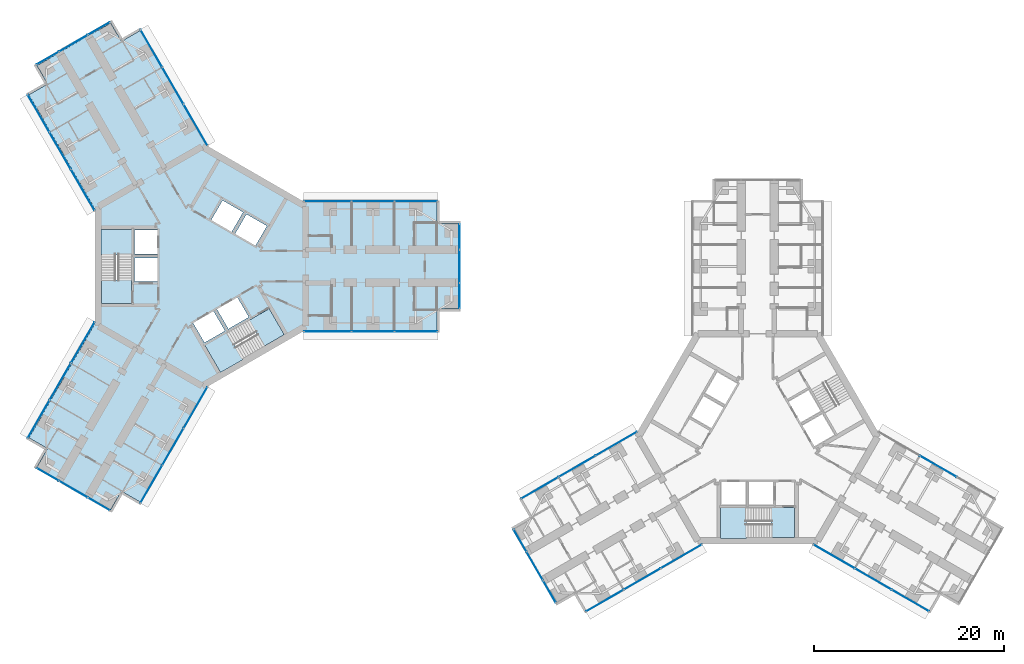
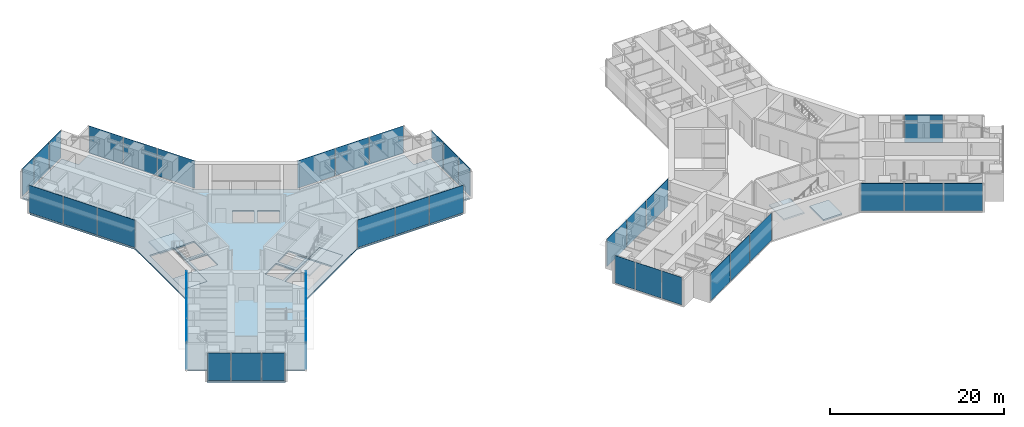
# One storey, part 14 of 25: 40 plates, 7 slabs, 17 elements without a shape of their own.
"""IFC4 building model written with IfcOpenShell, lengths in metres."""

import ifcopenshell
import ifcopenshell.guid

model = None  # the IFC model being written
_history = None  # IfcOwnerHistory: only IFC2X3 demands one
_inside = {}  # id of a spatial element -> (the spatial element, [elements in it])
_under = {}  # id of a project, library or spatial element -> (it, [spatial elements below it])
_declared = {}  # id of a project -> (the project, [libraries it declares])
_typed = {}  # id of a type object -> (the type object, [elements of that type])
_made_of = {}  # id of a material, layer set ... -> (it, [elements and type objects made of it])


def new_model(schema):
    """Start an empty IFC model of exactly this schema.

    Asked for "IFC4X3", IfcOpenShell would pick the latest addendum, in which some entities
    have other attributes; the version numbers below select the first issue.
    IFC2X3 requires an IfcOwnerHistory on every rooted entity: one is made here for all.
    """
    global model, _history
    if schema == "IFC4X3":
        model = ifcopenshell.file(schema_version=(4, 3, 0, 0))
    else:
        model = ifcopenshell.file(schema=schema)
    _inside.clear()
    _under.clear()
    _declared.clear()
    _typed.clear()
    _made_of.clear()
    _history = None
    if model.schema == "IFC2X3":
        org = make("IfcOrganization", Name="unknown")
        user = make(
            "IfcPersonAndOrganization",
            ThePerson=make("IfcPerson", FamilyName="unknown"),
            TheOrganization=org,
        )
        app = make(
            "IfcApplication",
            ApplicationDeveloper=org,
            Version="unknown",
            ApplicationFullName="unknown",
            ApplicationIdentifier="unknown",
        )
        _history = make(
            "IfcOwnerHistory",
            OwningUser=user,
            OwningApplication=app,
            ChangeAction="ADDED",
            CreationDate=0,
        )
    return model


def make(cls, **values):
    """One entity of the class cls with the attributes given. An attribute that is None is left unset."""
    return model.create_entity(
        cls, **{name: value for name, value in values.items() if value is not None}
    )


def rooted(cls, **values):
    """An entity with a GlobalId (a new one), such as an element, a storey or a relation."""
    return make(cls, GlobalId=ifcopenshell.guid.new(), OwnerHistory=_history, **values)


def si_unit(unit_type, name, prefix=None):
    """IfcSIUnit, for example si_unit("LENGTHUNIT", "METRE", prefix="MILLI")."""
    return make("IfcSIUnit", UnitType=unit_type, Prefix=prefix, Name=name)


def assignment(units):
    """IfcUnitAssignment: the units of a project."""
    return None if units is None else make("IfcUnitAssignment", Units=units)


def point(xyz):
    """IfcCartesianPoint."""
    return None if xyz is None else make("IfcCartesianPoint", Coordinates=xyz)


def direction(xyz):
    """IfcDirection."""
    return None if xyz is None else make("IfcDirection", DirectionRatios=xyz)


def frame(location, z_axis=None, x_axis=None):
    """IfcAxis2Placement3D, a coordinate frame: its origin and axes. An axis left out is left unset."""
    return make(
        "IfcAxis2Placement3D",
        Location=point(location),
        Axis=direction(z_axis),
        RefDirection=direction(x_axis),
    )


def frame_2d(location, x_axis=None):
    """IfcAxis2Placement2D, a coordinate frame in the plane: its origin and x axis."""
    return make(
        "IfcAxis2Placement2D", Location=point(location), RefDirection=direction(x_axis)
    )


def origin():
    """The frame at (0, 0, 0) with its axes left unset."""
    return frame((0.0, 0.0, 0.0))


def origin_2d():
    """The frame at (0, 0) in the plane with its x axis left unset."""
    return frame_2d((0.0, 0.0))


def place(relative_to, where):
    """IfcLocalPlacement: puts the frame where relative to a parent placement (None: the world)."""
    return make(
        "IfcLocalPlacement", PlacementRelTo=relative_to, RelativePlacement=where
    )


def context(
    kind, dimensions, precision=None, world=None, true_north=None, identifier=None
):
    """IfcGeometricRepresentationContext, for example the 3D "Model" context."""
    return make(
        "IfcGeometricRepresentationContext",
        ContextIdentifier=identifier,
        ContextType=kind,
        CoordinateSpaceDimension=dimensions,
        Precision=precision,
        WorldCoordinateSystem=world,
        TrueNorth=true_north,
    )


def subcontext(parent, identifier, kind, view, scale=None):
    """IfcGeometricRepresentationSubContext, for example "Body" below "Model"."""
    return make(
        "IfcGeometricRepresentationSubContext",
        ContextIdentifier=identifier,
        ContextType=kind,
        ParentContext=parent,
        TargetScale=scale,
        TargetView=view,
    )


def project(units=None, contexts=None):
    """IfcProject with its units and contexts."""
    return rooted(
        "IfcProject",
        Name="project",
        RepresentationContexts=contexts,
        UnitsInContext=assignment(units),
    )


def spatial(cls, under=None, at=None, **own):
    """A site, building, storey or space (cls), placed at a placement, below another one or the project."""
    s = rooted(cls, ObjectPlacement=at, **own)
    if under is not None:
        _under.setdefault(under.id(), (under, []))[1].append(s)
    return s


def polyline(points):
    """IfcPolyline through the points."""
    return make("IfcPolyline", Points=[point(p) for p in points])


def profile(cls, at=None, kind="AREA", **sizes):
    """A parametric profile (cls). Its sizes go by their IFC names, for example OverallWidth=200.0."""
    return make(cls, ProfileType=kind, Position=at, **sizes)


def rectangle(**sizes):
    """IfcRectangleProfileDef."""
    return profile("IfcRectangleProfileDef", **sizes)


def outline(outer, holes=None, kind="AREA"):
    """IfcArbitraryClosedProfileDef: a profile drawn as a closed curve; with holes, ...WithVoids."""
    if holes is None:
        return make("IfcArbitraryClosedProfileDef", ProfileType=kind, OuterCurve=outer)
    return make(
        "IfcArbitraryProfileDefWithVoids",
        ProfileType=kind,
        OuterCurve=outer,
        InnerCurves=holes,
    )


def extrude(swept, where, along, depth):
    """IfcExtrudedAreaSolid: the profile swept, set in the frame where, extruded along a direction by depth."""
    return make(
        "IfcExtrudedAreaSolid",
        SweptArea=swept,
        Position=where,
        ExtrudedDirection=direction(along),
        Depth=depth,
    )


def shape(context_of_items, identifier, shape_type, items):
    """IfcShapeRepresentation: the items that make up one representation, for example the "Body"."""
    return make(
        "IfcShapeRepresentation",
        ContextOfItems=context_of_items,
        RepresentationIdentifier=identifier,
        RepresentationType=shape_type,
        Items=items,
    )


def material(Name=None, Category=None):
    """IfcMaterial."""
    return make("IfcMaterial", Name=Name, Category=Category)


def layer(
    of_material, thickness, ventilated=None, Name=None, Category=None, Priority=None
):
    """IfcMaterialLayer: one layer of a wall or slab, of a material (None: an air gap)."""
    return make(
        "IfcMaterialLayer",
        Material=of_material,
        LayerThickness=thickness,
        IsVentilated=ventilated,
        Name=Name,
        Category=Category,
        Priority=Priority,
    )


def layer_set(layers, Name=None):
    """IfcMaterialLayerSet."""
    return make("IfcMaterialLayerSet", MaterialLayers=layers, LayerSetName=Name)


def made_of(thing, what):
    """Note that an element or type object is made of a material, layer set ...; save() writes the relation."""
    if what is not None:
        _made_of.setdefault(what.id(), (what, []))[1].append(thing)
    return thing


def type_object(cls, material=None, **own):
    """A type object (cls), such as IfcWallType, which elements share."""
    return made_of(rooted(cls, **own), material)


def element(
    cls,
    number,
    at=None,
    inside=None,
    cuts=None,
    type_object=None,
    material=None,
    context=None,
    identifier="Body",
    shape_type=None,
    held_by="IfcProductDefinitionShape",
    body=None,
    shapes=None,
    **own,
):
    """One element of the class cls, such as IfcWall. Its Tag is "e" and its number.

    at: its placement. inside: the storey or other place that contains it. cuts: it is an
    opening in that element (IfcRelVoidsElement). A single representation is given by context,
    identifier, shape_type and body (its items); several are given by shapes. held_by: the class
    of the entity that holds the representations. save() writes the other relations.
    """
    e = rooted(cls, Tag="e%d" % number, ObjectPlacement=at, **own)
    if body is not None:
        shapes = [shape(context, identifier, shape_type, body)]
    if shapes is not None:
        e.Representation = make(held_by, Representations=shapes)
    if inside is not None:
        _inside.setdefault(inside.id(), (inside, []))[1].append(e)
    if cuts is not None:
        rooted(
            "IfcRelVoidsElement", RelatingBuildingElement=cuts, RelatedOpeningElement=e
        )
    if type_object is not None:
        _typed.setdefault(type_object.id(), (type_object, []))[1].append(e)
    return made_of(e, material)


def aggregate(whole, parts):
    """IfcRelAggregates: a whole, such as a stair, and the parts it consists of."""
    return rooted("IfcRelAggregates", RelatingObject=whole, RelatedObjects=parts)


def save(model, path):
    """Write the relations noted so far, then the file.

    IfcRelAggregates (storeys below a building ...), IfcRelContainedInSpatialStructure (elements
    in a storey), IfcRelDefinesByType, IfcRelAssociatesMaterial and IfcRelDeclares: one each for
    every whole, place, type object, material and project.
    """
    for whole, parts in _under.values():
        aggregate(whole, parts)
    for where, things in _inside.values():
        rooted(
            "IfcRelContainedInSpatialStructure",
            RelatedElements=things,
            RelatingStructure=where,
        )
    for kind, things in _typed.values():
        rooted("IfcRelDefinesByType", RelatedObjects=things, RelatingType=kind)
    for what, things in _made_of.values():
        rooted("IfcRelAssociatesMaterial", RelatedObjects=things, RelatingMaterial=what)
    for by, libraries in _declared.values():
        rooted("IfcRelDeclares", RelatingContext=by, RelatedDefinitions=libraries)
    model.write(path)


model = new_model("IFC4")

# Units and contexts
model_context = context("Model", 3, precision=1e-05, world=origin(), true_north=direction((0.0, 1.0)))
body_context = subcontext(model_context, "Body", "Model", "MODEL_VIEW")
ifc_project = project(units=[si_unit("LENGTHUNIT", "METRE"), si_unit("AREAUNIT", "SQUARE_METRE"), si_unit("VOLUMEUNIT", "CUBIC_METRE"), si_unit("PLANEANGLEUNIT", "RADIAN"), si_unit("MASSUNIT", "GRAM", prefix="KILO")], contexts=[model_context])

# Site, building, storey
site_placement = place(None, origin())
site = spatial("IfcSite", under=ifc_project, at=site_placement, CompositionType="ELEMENT")
building_placement = place(site_placement, origin())
building = spatial("IfcBuilding", under=site, at=building_placement, Name="Upepo Twin Towers", CompositionType="ELEMENT")
storey_placement = place(building_placement, frame((0.0, 0.0, 80.5)))
storey = spatial("IfcBuildingStorey", under=building, at=storey_placement, Name="L19", CompositionType="ELEMENT", Elevation=80.5)

# Curtain wall, plates
ifc_material_1 = material(Name="Aluminium and fritted glass", Category="aluminium")
curtain_wall_type = type_object("IfcCurtainWallType", Name="Tower curtain wall TW1, fritted glass", PredefinedType="NOTDEFINED", material=ifc_material_1)
curtain_wall_1_placement = place(storey_placement, origin())
curtain_wall_1 = element("IfcCurtainWall", 1, at=curtain_wall_1_placement, inside=storey, type_object=curtain_wall_type, Name="T1 L19 wing A flank L curtain wall", PredefinedType="NOTDEFINED")
ifc_material_2 = material(Name="Ceramic-fritted laminated glass", Category="glass")
ifc_layer_1 = layer(ifc_material_2, 0.031982421875)
ifc_layer_set_1 = layer_set([ifc_layer_1], Name="Fritted glass panel, 30 per cent dot frit, 32 mm double glazed")
plate_type_1 = type_object("IfcPlateType", Name="Fritted glass panel, 30 per cent dot frit, 32 mm double glazed", PredefinedType="CURTAIN_PANEL", material=ifc_layer_set_1)
plate_1_placement = place(storey_placement, frame((13.23486328125, 6.85009765625, 0.14990234375), z_axis=(0.0, 0.0, 1.0), x_axis=(1.0, 0.0, 0.0)))
plate_1 = element("IfcPlate", 2, at=plate_1_placement, type_object=plate_type_1, Name="T1 L19 wing A flank L curtain wall panel 1", PredefinedType="CURTAIN_PANEL", context=body_context, shape_type="SweptSolid", body=[
    extrude(rectangle(XDim=4.96533203125, YDim=0.031982421875, at=origin_2d()), origin(), (0.0, 0.0, 1.0), 3.85009765625),
])
plate_2_placement = place(storey_placement, frame((18.0, 6.85009765625, 0.14990234375), z_axis=(0.0, 0.0, 1.0), x_axis=(1.0, 0.0, 0.0)))
plate_2 = element("IfcPlate", 3, at=plate_2_placement, type_object=plate_type_1, Name="T1 L19 wing A flank L curtain wall panel 2", PredefinedType="CURTAIN_PANEL", context=body_context, shape_type="SweptSolid", body=[
    extrude(rectangle(XDim=4.43505859375, YDim=0.031982421875, at=origin_2d()), origin(), (0.0, 0.0, 1.0), 3.85009765625),
])
plate_3_placement = place(storey_placement, frame((22.53369140625, 6.85009765625, 0.14990234375), z_axis=(0.0, 0.0, 1.0), x_axis=(1.0, 0.0, 0.0)))
plate_3 = element("IfcPlate", 4, at=plate_3_placement, type_object=plate_type_1, Name="T1 L19 wing A flank L curtain wall panel 3", PredefinedType="CURTAIN_PANEL", context=body_context, shape_type="SweptSolid", body=[
    extrude(rectangle(XDim=4.50244140625, YDim=0.031982421875, at=origin_2d()), origin(), (0.0, 0.0, 1.0), 3.85009765625),
])
aggregate(curtain_wall_1, [plate_1, plate_2, plate_3])

curtain_wall_2_placement = place(storey_placement, origin())
curtain_wall_2 = element("IfcCurtainWall", 5, at=curtain_wall_2_placement, inside=storey, type_object=curtain_wall_type, Name="T1 L19 wing A flank R curtain wall", PredefinedType="NOTDEFINED")
plate_4_placement = place(storey_placement, frame((22.53369140625, -6.85009765625, 0.14990234375), z_axis=(0.0, 0.0, 1.0), x_axis=(-1.0, 0.0, 0.0)))
plate_4 = element("IfcPlate", 6, at=plate_4_placement, type_object=plate_type_1, Name="T1 L19 wing A flank R curtain wall panel 1", PredefinedType="CURTAIN_PANEL", context=body_context, shape_type="SweptSolid", body=[
    extrude(rectangle(XDim=4.50244140625, YDim=0.031982421875, at=origin_2d()), origin(), (0.0, 0.0, 1.0), 3.85009765625),
])
plate_5_placement = place(storey_placement, frame((18.0, -6.85009765625, 0.14990234375), z_axis=(0.0, 0.0, 1.0), x_axis=(-1.0, 0.0, 0.0)))
plate_5 = element("IfcPlate", 7, at=plate_5_placement, type_object=plate_type_1, Name="T1 L19 wing A flank R curtain wall panel 2", PredefinedType="CURTAIN_PANEL", context=body_context, shape_type="SweptSolid", body=[
    extrude(rectangle(XDim=4.43505859375, YDim=0.031982421875, at=origin_2d()), origin(), (0.0, 0.0, 1.0), 3.85009765625),
])
plate_6_placement = place(storey_placement, frame((13.23486328125, -6.85009765625, 0.14990234375), z_axis=(0.0, 0.0, 1.0), x_axis=(-1.0, 0.0, 0.0)))
plate_6 = element("IfcPlate", 8, at=plate_6_placement, type_object=plate_type_1, Name="T1 L19 wing A flank R curtain wall panel 3", PredefinedType="CURTAIN_PANEL", context=body_context, shape_type="SweptSolid", body=[
    extrude(rectangle(XDim=4.96533203125, YDim=0.031982421875, at=origin_2d()), origin(), (0.0, 0.0, 1.0), 3.85009765625),
])
aggregate(curtain_wall_2, [plate_4, plate_5, plate_6])

# Curtain wall, plate
curtain_wall_3_placement = place(storey_placement, origin())
curtain_wall_3 = element("IfcCurtainWall", 9, at=curtain_wall_3_placement, inside=storey, type_object=curtain_wall_type, Name="T1 L19 wing A nose curtain wall", PredefinedType="NOTDEFINED")
plate_7_placement = place(storey_placement, frame((27.10009765625, 0.0, 0.14990234375), z_axis=(0.0, 0.0, 1.0), x_axis=(0.0, 1.0, 0.0)))
plate_7 = element("IfcPlate", 10, at=plate_7_placement, type_object=plate_type_1, Name="T1 L19 wing A nose curtain wall panel 2", PredefinedType="CURTAIN_PANEL", context=body_context, shape_type="SweptSolid", body=[
    extrude(rectangle(XDim=3.43505859375, YDim=0.031982421875, at=origin_2d()), origin(), (0.0, 0.0, 1.0), 3.85009765625),
])

# Curtain wall, plates
curtain_wall_4_placement = place(storey_placement, origin())
curtain_wall_4 = element("IfcCurtainWall", 11, at=curtain_wall_4_placement, inside=storey, type_object=curtain_wall_type, Name="T1 L19 wing B flank L curtain wall", PredefinedType="NOTDEFINED")
plate_8_placement = place(storey_placement, frame((-12.549560546875, 8.03662109375, 0.14990234375), z_axis=(0.0, 0.0, 1.0), x_axis=(-0.500000024426, 0.866025389682, 0.0)))
plate_8 = element("IfcPlate", 12, at=plate_8_placement, type_object=plate_type_1, Name="T1 L19 wing B flank L curtain wall panel 1", PredefinedType="CURTAIN_PANEL", context=body_context, shape_type="SweptSolid", body=[
    extrude(rectangle(XDim=4.96533203125, YDim=0.031982421875, at=origin_2d()), origin(), (0.0, 0.0, 1.0), 3.85009765625),
])
plate_9_placement = place(storey_placement, frame((-14.932373046875, 12.16357421875, 0.14990234375), z_axis=(0.0, 0.0, 1.0), x_axis=(-0.500000024426, 0.866025389682, 0.0)))
plate_9 = element("IfcPlate", 13, at=plate_9_placement, type_object=plate_type_1, Name="T1 L19 wing B flank L curtain wall panel 2", PredefinedType="CURTAIN_PANEL", context=body_context, shape_type="SweptSolid", body=[
    extrude(rectangle(XDim=4.43505859375, YDim=0.031982421875, at=origin_2d()), origin(), (0.0, 0.0, 1.0), 3.85009765625),
])
plate_10_placement = place(storey_placement, frame((-17.19921875, 16.08984375, 0.14990234375), z_axis=(0.0, 0.0, 1.0), x_axis=(-0.500000024426, 0.866025389682, 0.0)))
plate_10 = element("IfcPlate", 14, at=plate_10_placement, type_object=plate_type_1, Name="T1 L19 wing B flank L curtain wall panel 3", PredefinedType="CURTAIN_PANEL", context=body_context, shape_type="SweptSolid", body=[
    extrude(rectangle(XDim=4.50244140625, YDim=0.031982421875, at=origin_2d()), origin(), (0.0, 0.0, 1.0), 3.85009765625),
])
aggregate(curtain_wall_4, [plate_8, plate_9, plate_10])

curtain_wall_5_placement = place(storey_placement, origin())
curtain_wall_5 = element("IfcCurtainWall", 15, at=curtain_wall_5_placement, inside=storey, type_object=curtain_wall_type, Name="T1 L19 wing B flank R curtain wall", PredefinedType="NOTDEFINED")
plate_11_placement = place(storey_placement, frame((-5.334716796875, 22.939697265625, 0.14990234375), z_axis=(0.0, 0.0, 1.0), x_axis=(0.500000024426, -0.866025389682, 0.0)))
plate_11 = element("IfcPlate", 16, at=plate_11_placement, type_object=plate_type_1, Name="T1 L19 wing B flank R curtain wall panel 1", PredefinedType="CURTAIN_PANEL", context=body_context, shape_type="SweptSolid", body=[
    extrude(rectangle(XDim=4.50244140625, YDim=0.031982421875, at=origin_2d()), origin(), (0.0, 0.0, 1.0), 3.85009765625),
])
plate_12_placement = place(storey_placement, frame((-3.067626953125, 19.013427734375, 0.14990234375), z_axis=(0.0, 0.0, 1.0), x_axis=(0.500000024426, -0.866025389682, 0.0)))
plate_12 = element("IfcPlate", 17, at=plate_12_placement, type_object=plate_type_1, Name="T1 L19 wing B flank R curtain wall panel 2", PredefinedType="CURTAIN_PANEL", context=body_context, shape_type="SweptSolid", body=[
    extrude(rectangle(XDim=4.43505859375, YDim=0.031982421875, at=origin_2d()), origin(), (0.0, 0.0, 1.0), 3.85009765625),
])
plate_13_placement = place(storey_placement, frame((-0.68505859375, 14.88671875, 0.14990234375), z_axis=(0.0, 0.0, 1.0), x_axis=(0.500000024426, -0.866025389682, 0.0)))
plate_13 = element("IfcPlate", 18, at=plate_13_placement, type_object=plate_type_1, Name="T1 L19 wing B flank R curtain wall panel 3", PredefinedType="CURTAIN_PANEL", context=body_context, shape_type="SweptSolid", body=[
    extrude(rectangle(XDim=4.96533203125, YDim=0.031982421875, at=origin_2d()), origin(), (0.0, 0.0, 1.0), 3.85009765625),
])
aggregate(curtain_wall_5, [plate_11, plate_12, plate_13])

# Curtain wall, plate
curtain_wall_6_placement = place(storey_placement, origin())
curtain_wall_6 = element("IfcCurtainWall", 19, at=curtain_wall_6_placement, inside=storey, type_object=curtain_wall_type, Name="T1 L19 wing B nose curtain wall", PredefinedType="NOTDEFINED")
plate_14_placement = place(storey_placement, frame((-13.550048828125, 23.46923828125, 0.14990234375), z_axis=(0.0, 0.0, 1.0), x_axis=(-0.866025386174, -0.500000030502, 0.0)))
plate_14 = element("IfcPlate", 20, at=plate_14_placement, type_object=plate_type_1, Name="T1 L19 wing B nose curtain wall panel 2", PredefinedType="CURTAIN_PANEL", context=body_context, shape_type="SweptSolid", body=[
    extrude(rectangle(XDim=3.43505859375, YDim=0.031982421875, at=origin_2d()), origin(), (0.0, 0.0, 1.0), 3.85009765625),
])

# Curtain wall, plates
curtain_wall_7_placement = place(storey_placement, origin())
curtain_wall_7 = element("IfcCurtainWall", 21, at=curtain_wall_7_placement, inside=storey, type_object=curtain_wall_type, Name="T1 L19 wing C flank L curtain wall", PredefinedType="NOTDEFINED")
plate_15_placement = place(storey_placement, frame((-0.68505859375, -14.88671875, 0.14990234375), z_axis=(0.0, 0.0, 1.0), x_axis=(-0.500000024426, -0.866025389682, 0.0)))
plate_15 = element("IfcPlate", 22, at=plate_15_placement, type_object=plate_type_1, Name="T1 L19 wing C flank L curtain wall panel 1", PredefinedType="CURTAIN_PANEL", context=body_context, shape_type="SweptSolid", body=[
    extrude(rectangle(XDim=4.96533203125, YDim=0.031982421875, at=origin_2d()), origin(), (0.0, 0.0, 1.0), 3.85009765625),
])
plate_16_placement = place(storey_placement, frame((-3.067626953125, -19.013427734375, 0.14990234375), z_axis=(0.0, 0.0, 1.0), x_axis=(-0.500000024426, -0.866025389682, 0.0)))
plate_16 = element("IfcPlate", 23, at=plate_16_placement, type_object=plate_type_1, Name="T1 L19 wing C flank L curtain wall panel 2", PredefinedType="CURTAIN_PANEL", context=body_context, shape_type="SweptSolid", body=[
    extrude(rectangle(XDim=4.43505859375, YDim=0.031982421875, at=origin_2d()), origin(), (0.0, 0.0, 1.0), 3.85009765625),
])
plate_17_placement = place(storey_placement, frame((-5.334716796875, -22.939697265625, 0.14990234375), z_axis=(0.0, 0.0, 1.0), x_axis=(-0.500000024426, -0.866025389682, 0.0)))
plate_17 = element("IfcPlate", 24, at=plate_17_placement, type_object=plate_type_1, Name="T1 L19 wing C flank L curtain wall panel 3", PredefinedType="CURTAIN_PANEL", context=body_context, shape_type="SweptSolid", body=[
    extrude(rectangle(XDim=4.50244140625, YDim=0.031982421875, at=origin_2d()), origin(), (0.0, 0.0, 1.0), 3.85009765625),
])
aggregate(curtain_wall_7, [plate_15, plate_16, plate_17])

curtain_wall_8_placement = place(storey_placement, origin())
curtain_wall_8 = element("IfcCurtainWall", 25, at=curtain_wall_8_placement, inside=storey, type_object=curtain_wall_type, Name="T1 L19 wing C flank R curtain wall", PredefinedType="NOTDEFINED")
plate_18_placement = place(storey_placement, frame((-17.19921875, -16.08984375, 0.14990234375), z_axis=(0.0, 0.0, 1.0), x_axis=(0.500000024426, 0.866025389682, 0.0)))
plate_18 = element("IfcPlate", 26, at=plate_18_placement, type_object=plate_type_1, Name="T1 L19 wing C flank R curtain wall panel 1", PredefinedType="CURTAIN_PANEL", context=body_context, shape_type="SweptSolid", body=[
    extrude(rectangle(XDim=4.50244140625, YDim=0.031982421875, at=origin_2d()), origin(), (0.0, 0.0, 1.0), 3.85009765625),
])
plate_19_placement = place(storey_placement, frame((-14.932373046875, -12.16357421875, 0.14990234375), z_axis=(0.0, 0.0, 1.0), x_axis=(0.500000024426, 0.866025389682, 0.0)))
plate_19 = element("IfcPlate", 27, at=plate_19_placement, type_object=plate_type_1, Name="T1 L19 wing C flank R curtain wall panel 2", PredefinedType="CURTAIN_PANEL", context=body_context, shape_type="SweptSolid", body=[
    extrude(rectangle(XDim=4.43505859375, YDim=0.031982421875, at=origin_2d()), origin(), (0.0, 0.0, 1.0), 3.85009765625),
])
plate_20_placement = place(storey_placement, frame((-12.549560546875, -8.03662109375, 0.14990234375), z_axis=(0.0, 0.0, 1.0), x_axis=(0.500000024426, 0.866025389682, 0.0)))
plate_20 = element("IfcPlate", 28, at=plate_20_placement, type_object=plate_type_1, Name="T1 L19 wing C flank R curtain wall panel 3", PredefinedType="CURTAIN_PANEL", context=body_context, shape_type="SweptSolid", body=[
    extrude(rectangle(XDim=4.96533203125, YDim=0.031982421875, at=origin_2d()), origin(), (0.0, 0.0, 1.0), 3.85009765625),
])
aggregate(curtain_wall_8, [plate_18, plate_19, plate_20])

# Curtain wall, plate
curtain_wall_9_placement = place(storey_placement, origin())
curtain_wall_9 = element("IfcCurtainWall", 29, at=curtain_wall_9_placement, inside=storey, type_object=curtain_wall_type, Name="T1 L19 wing C nose curtain wall", PredefinedType="NOTDEFINED")
plate_21_placement = place(storey_placement, frame((-13.550048828125, -23.46923828125, 0.14990234375), z_axis=(0.0, 0.0, 1.0), x_axis=(0.866025386174, -0.500000030502, 0.0)))
plate_21 = element("IfcPlate", 30, at=plate_21_placement, type_object=plate_type_1, Name="T1 L19 wing C nose curtain wall panel 2", PredefinedType="CURTAIN_PANEL", context=body_context, shape_type="SweptSolid", body=[
    extrude(rectangle(XDim=3.43505859375, YDim=0.031982421875, at=origin_2d()), origin(), (0.0, 0.0, 1.0), 3.85009765625),
])

# Curtain wall, plates
curtain_wall_10_placement = place(storey_placement, origin())
curtain_wall_10 = element("IfcCurtainWall", 31, at=curtain_wall_10_placement, inside=storey, type_object=curtain_wall_type, Name="T2 L19 wing B flank L curtain wall", PredefinedType="NOTDEFINED")
plate_22_placement = place(storey_placement, frame((50.46337890625, -30.549560546875, 0.14990234375), z_axis=(0.0, 0.0, 1.0), x_axis=(-0.866025389682, -0.500000024426, 0.0)))
plate_22 = element("IfcPlate", 32, at=plate_22_placement, type_object=plate_type_1, Name="T2 L19 wing B flank L curtain wall panel 1", PredefinedType="CURTAIN_PANEL", context=body_context, shape_type="SweptSolid", body=[
    extrude(rectangle(XDim=4.96533203125, YDim=0.031982421875, at=origin_2d()), origin(), (0.0, 0.0, 1.0), 3.85009765625),
])
plate_23_placement = place(storey_placement, frame((46.33642578125, -32.932373046875, 0.14990234375), z_axis=(0.0, 0.0, 1.0), x_axis=(-0.866025389682, -0.500000024426, 0.0)))
plate_23 = element("IfcPlate", 33, at=plate_23_placement, type_object=plate_type_1, Name="T2 L19 wing B flank L curtain wall panel 2", PredefinedType="CURTAIN_PANEL", context=body_context, shape_type="SweptSolid", body=[
    extrude(rectangle(XDim=4.43505859375, YDim=0.031982421875, at=origin_2d()), origin(), (0.0, 0.0, 1.0), 3.85009765625),
])
plate_24_placement = place(storey_placement, frame((42.41015625, -35.19921875, 0.14990234375), z_axis=(0.0, 0.0, 1.0), x_axis=(-0.866025389682, -0.500000024426, 0.0)))
plate_24 = element("IfcPlate", 34, at=plate_24_placement, type_object=plate_type_1, Name="T2 L19 wing B flank L curtain wall panel 3", PredefinedType="CURTAIN_PANEL", context=body_context, shape_type="SweptSolid", body=[
    extrude(rectangle(XDim=4.50244140625, YDim=0.031982421875, at=origin_2d()), origin(), (0.0, 0.0, 1.0), 3.85009765625),
])
aggregate(curtain_wall_10, [plate_22, plate_23, plate_24])

curtain_wall_11_placement = place(storey_placement, origin())
curtain_wall_11 = element("IfcCurtainWall", 35, at=curtain_wall_11_placement, inside=storey, type_object=curtain_wall_type, Name="T2 L19 wing B flank R curtain wall", PredefinedType="NOTDEFINED")
plate_25_placement = place(storey_placement, frame((35.560302734375, -23.334716796875, 0.14990234375), z_axis=(0.0, 0.0, 1.0), x_axis=(0.866025389682, 0.500000024426, 0.0)))
plate_25 = element("IfcPlate", 36, at=plate_25_placement, type_object=plate_type_1, Name="T2 L19 wing B flank R curtain wall panel 1", PredefinedType="CURTAIN_PANEL", context=body_context, shape_type="SweptSolid", body=[
    extrude(rectangle(XDim=4.50244140625, YDim=0.031982421875, at=origin_2d()), origin(), (0.0, 0.0, 1.0), 3.85009765625),
])
plate_26_placement = place(storey_placement, frame((39.486572265625, -21.067626953125, 0.14990234375), z_axis=(0.0, 0.0, 1.0), x_axis=(0.866025389682, 0.500000024426, 0.0)))
plate_26 = element("IfcPlate", 37, at=plate_26_placement, type_object=plate_type_1, Name="T2 L19 wing B flank R curtain wall panel 2", PredefinedType="CURTAIN_PANEL", context=body_context, shape_type="SweptSolid", body=[
    extrude(rectangle(XDim=4.43505859375, YDim=0.031982421875, at=origin_2d()), origin(), (0.0, 0.0, 1.0), 3.85009765625),
])
plate_27_placement = place(storey_placement, frame((43.61328125, -18.68505859375, 0.14990234375), z_axis=(0.0, 0.0, 1.0), x_axis=(0.866025389682, 0.500000024426, 0.0)))
plate_27 = element("IfcPlate", 38, at=plate_27_placement, type_object=plate_type_1, Name="T2 L19 wing B flank R curtain wall panel 3", PredefinedType="CURTAIN_PANEL", context=body_context, shape_type="SweptSolid", body=[
    extrude(rectangle(XDim=4.96533203125, YDim=0.031982421875, at=origin_2d()), origin(), (0.0, 0.0, 1.0), 3.85009765625),
])
aggregate(curtain_wall_11, [plate_25, plate_26, plate_27])

# Curtain wall, plate
curtain_wall_12_placement = place(storey_placement, origin())
curtain_wall_12 = element("IfcCurtainWall", 39, at=curtain_wall_12_placement, inside=storey, type_object=curtain_wall_type, Name="T2 L19 wing B nose curtain wall", PredefinedType="NOTDEFINED")
plate_28_placement = place(storey_placement, frame((35.03076171875, -31.550048828125, 0.14990234375), z_axis=(0.0, 0.0, 1.0), x_axis=(0.500000030502, -0.866025386174, 0.0)))
plate_28 = element("IfcPlate", 40, at=plate_28_placement, type_object=plate_type_1, Name="T2 L19 wing B nose curtain wall panel 2", PredefinedType="CURTAIN_PANEL", context=body_context, shape_type="SweptSolid", body=[
    extrude(rectangle(XDim=3.43505859375, YDim=0.031982421875, at=origin_2d()), origin(), (0.0, 0.0, 1.0), 3.85009765625),
])

curtain_wall_13_placement = place(storey_placement, origin())
curtain_wall_13 = element("IfcCurtainWall", 41, at=curtain_wall_13_placement, inside=storey, type_object=curtain_wall_type, Name="T2 L19 wing C flank L curtain wall", PredefinedType="NOTDEFINED")
plate_29_placement = place(storey_placement, frame((77.513427734375, -21.067626953125, 0.14990234375), z_axis=(0.0, 0.0, 1.0), x_axis=(0.866025389682, -0.500000024426, 0.0)))
plate_29 = element("IfcPlate", 42, at=plate_29_placement, type_object=plate_type_1, Name="T2 L19 wing C flank L curtain wall panel 2", PredefinedType="CURTAIN_PANEL", context=body_context, shape_type="SweptSolid", body=[
    extrude(rectangle(XDim=4.43505859375, YDim=0.031982421875, at=origin_2d()), origin(), (0.0, 0.0, 1.0), 3.85009765625),
])
aggregate(curtain_wall_13, [plate_29])

# Curtain wall, plates
curtain_wall_14_placement = place(storey_placement, origin())
curtain_wall_14 = element("IfcCurtainWall", 43, at=curtain_wall_14_placement, inside=storey, type_object=curtain_wall_type, Name="T2 L19 wing C flank R curtain wall", PredefinedType="NOTDEFINED")
plate_30_placement = place(storey_placement, frame((74.58984375, -35.19921875, 0.14990234375), z_axis=(0.0, 0.0, 1.0), x_axis=(-0.866025389682, 0.500000024426, 0.0)))
plate_30 = element("IfcPlate", 44, at=plate_30_placement, type_object=plate_type_1, Name="T2 L19 wing C flank R curtain wall panel 1", PredefinedType="CURTAIN_PANEL", context=body_context, shape_type="SweptSolid", body=[
    extrude(rectangle(XDim=4.50244140625, YDim=0.031982421875, at=origin_2d()), origin(), (0.0, 0.0, 1.0), 3.85009765625),
])
plate_31_placement = place(storey_placement, frame((70.66357421875, -32.932373046875, 0.14990234375), z_axis=(0.0, 0.0, 1.0), x_axis=(-0.866025389682, 0.500000024426, 0.0)))
plate_31 = element("IfcPlate", 45, at=plate_31_placement, type_object=plate_type_1, Name="T2 L19 wing C flank R curtain wall panel 2", PredefinedType="CURTAIN_PANEL", context=body_context, shape_type="SweptSolid", body=[
    extrude(rectangle(XDim=4.43505859375, YDim=0.031982421875, at=origin_2d()), origin(), (0.0, 0.0, 1.0), 3.85009765625),
])
plate_32_placement = place(storey_placement, frame((66.53662109375, -30.549560546875, 0.14990234375), z_axis=(0.0, 0.0, 1.0), x_axis=(-0.866025389682, 0.500000024426, 0.0)))
plate_32 = element("IfcPlate", 46, at=plate_32_placement, type_object=plate_type_1, Name="T2 L19 wing C flank R curtain wall panel 3", PredefinedType="CURTAIN_PANEL", context=body_context, shape_type="SweptSolid", body=[
    extrude(rectangle(XDim=4.96533203125, YDim=0.031982421875, at=origin_2d()), origin(), (0.0, 0.0, 1.0), 3.85009765625),
])
aggregate(curtain_wall_14, [plate_30, plate_31, plate_32])

# Plate
ifc_material_3 = material(Name="Clear laminated glass in opening sash", Category="glass")
ifc_layer_2 = layer(ifc_material_3, 0.031982421875)
ifc_layer_set_2 = layer_set([ifc_layer_2], Name="Operable glass panel, 32 mm double glazed")
plate_type_2 = type_object("IfcPlateType", Name="Operable glass panel, 32 mm double glazed", PredefinedType="CURTAIN_PANEL", material=ifc_layer_set_2)
plate_33_placement = place(storey_placement, frame((27.10009765625, -3.108642578125, 0.14990234375), z_axis=(0.0, 0.0, 1.0), x_axis=(0.0, 1.0, 0.0)))
plate_33 = element("IfcPlate", 47, at=plate_33_placement, type_object=plate_type_2, Name="T1 L19 wing A nose curtain wall panel 1", PredefinedType="CURTAIN_PANEL", context=body_context, shape_type="SweptSolid", body=[
    extrude(rectangle(XDim=2.652587890625, YDim=0.031982421875, at=origin_2d()), origin(), (0.0, 0.0, 1.0), 3.85009765625),
])

plate_34_placement = place(storey_placement, frame((27.10009765625, 3.108642578125, 0.14990234375), z_axis=(0.0, 0.0, 1.0), x_axis=(0.0, 1.0, 0.0)))
plate_34 = element("IfcPlate", 48, at=plate_34_placement, type_object=plate_type_2, Name="T1 L19 wing A nose curtain wall panel 3", PredefinedType="CURTAIN_PANEL", context=body_context, shape_type="SweptSolid", body=[
    extrude(rectangle(XDim=2.652587890625, YDim=0.031982421875, at=origin_2d()), origin(), (0.0, 0.0, 1.0), 3.85009765625),
])

aggregate(curtain_wall_3, [plate_33, plate_7, plate_34])

plate_35_placement = place(storey_placement, frame((-10.857666015625, 25.023681640625, 0.14990234375), z_axis=(0.0, 0.0, 1.0), x_axis=(-0.866025386174, -0.500000030502, 0.0)))
plate_35 = element("IfcPlate", 49, at=plate_35_placement, type_object=plate_type_2, Name="T1 L19 wing B nose curtain wall panel 1", PredefinedType="CURTAIN_PANEL", context=body_context, shape_type="SweptSolid", body=[
    extrude(rectangle(XDim=2.652587890625, YDim=0.031982421875, at=origin_2d()), origin(), (0.0, 0.0, 1.0), 3.85009765625),
])

plate_36_placement = place(storey_placement, frame((-16.2421875, 21.914794921875, 0.14990234375), z_axis=(0.0, 0.0, 1.0), x_axis=(-0.866025386174, -0.500000030502, 0.0)))
plate_36 = element("IfcPlate", 50, at=plate_36_placement, type_object=plate_type_2, Name="T1 L19 wing B nose curtain wall panel 3", PredefinedType="CURTAIN_PANEL", context=body_context, shape_type="SweptSolid", body=[
    extrude(rectangle(XDim=2.652587890625, YDim=0.031982421875, at=origin_2d()), origin(), (0.0, 0.0, 1.0), 3.85009765625),
])

aggregate(curtain_wall_6, [plate_35, plate_14, plate_36])

plate_37_placement = place(storey_placement, frame((-16.2421875, -21.914794921875, 0.14990234375), z_axis=(0.0, 0.0, 1.0), x_axis=(0.866025386174, -0.500000030502, 0.0)))
plate_37 = element("IfcPlate", 51, at=plate_37_placement, type_object=plate_type_2, Name="T1 L19 wing C nose curtain wall panel 1", PredefinedType="CURTAIN_PANEL", context=body_context, shape_type="SweptSolid", body=[
    extrude(rectangle(XDim=2.652587890625, YDim=0.031982421875, at=origin_2d()), origin(), (0.0, 0.0, 1.0), 3.85009765625),
])

plate_38_placement = place(storey_placement, frame((-10.857666015625, -25.023681640625, 0.14990234375), z_axis=(0.0, 0.0, 1.0), x_axis=(0.866025386174, -0.500000030502, 0.0)))
plate_38 = element("IfcPlate", 52, at=plate_38_placement, type_object=plate_type_2, Name="T1 L19 wing C nose curtain wall panel 3", PredefinedType="CURTAIN_PANEL", context=body_context, shape_type="SweptSolid", body=[
    extrude(rectangle(XDim=2.652587890625, YDim=0.031982421875, at=origin_2d()), origin(), (0.0, 0.0, 1.0), 3.85009765625),
])

aggregate(curtain_wall_9, [plate_37, plate_21, plate_38])

plate_39_placement = place(storey_placement, frame((33.476318359375, -28.857666015625, 0.14990234375), z_axis=(0.0, 0.0, 1.0), x_axis=(0.500000030502, -0.866025386174, 0.0)))
plate_39 = element("IfcPlate", 53, at=plate_39_placement, type_object=plate_type_2, Name="T2 L19 wing B nose curtain wall panel 1", PredefinedType="CURTAIN_PANEL", context=body_context, shape_type="SweptSolid", body=[
    extrude(rectangle(XDim=2.652587890625, YDim=0.031982421875, at=origin_2d()), origin(), (0.0, 0.0, 1.0), 3.85009765625),
])

plate_40_placement = place(storey_placement, frame((36.585205078125, -34.2421875, 0.14990234375), z_axis=(0.0, 0.0, 1.0), x_axis=(0.500000030502, -0.866025386174, 0.0)))
plate_40 = element("IfcPlate", 54, at=plate_40_placement, type_object=plate_type_2, Name="T2 L19 wing B nose curtain wall panel 3", PredefinedType="CURTAIN_PANEL", context=body_context, shape_type="SweptSolid", body=[
    extrude(rectangle(XDim=2.652587890625, YDim=0.031982421875, at=origin_2d()), origin(), (0.0, 0.0, 1.0), 3.85009765625),
])

aggregate(curtain_wall_12, [plate_39, plate_28, plate_40])

# Stair, slabs
ifc_material_4 = material(Name="Concrete C40/50", Category="concrete")
stair_type = type_object("IfcStairType", Name="Core stair, two flights", PredefinedType="HALF_TURN_STAIR", material=ifc_material_4)
stair_1_placement = place(storey_placement, origin())
stair_1 = element("IfcStair", 55, at=stair_1_placement, inside=storey, type_object=stair_type, Name="T1 stair S1 L19", PredefinedType="HALF_TURN_STAIR")
ifc_material_5 = material(Name="Concrete C40/50", Category="concrete")
ifc_layer_3 = layer(ifc_material_5, 0.199951171875)
ifc_layer_set_3 = layer_set([ifc_layer_3], Name="Concrete C40/50")
slab_type_1 = type_object("IfcSlabType", Name="Stair landing 200 RC", PredefinedType="LANDING", material=ifc_layer_set_3)
slab_1_placement = place(storey_placement, frame((0.0, 0.0, -0.199951171875)))
slab_1 = element("IfcSlab", 56, at=slab_1_placement, type_object=slab_type_1, Name="Stair S1 landing 1", PredefinedType="LANDING", context=body_context, shape_type="SweptSolid", body=[
    extrude(outline(polyline([(-7.39990234375, -1.419921875), (-10.558349609375, -1.419921875), (-10.558349609375, -3.89990234375), (-7.39990234375, -3.89990234375), (-7.39990234375, -1.419921875)])), origin(), (0.0, 0.0, 1.0), 0.199951171875),
])
slab_2_placement = place(storey_placement, frame((0.0, 0.0, 1.800048828125)))
slab_2 = element("IfcSlab", 57, at=slab_2_placement, type_object=slab_type_1, Name="Stair S1 landing 2", PredefinedType="LANDING", context=body_context, shape_type="SweptSolid", body=[
    extrude(outline(polyline([(-7.300048828125, 3.89990234375), (-10.658447265625, 3.89990234375), (-10.658447265625, 1.179931640625), (-7.300048828125, 1.179931640625), (-7.300048828125, 3.89990234375)])), origin(), (0.0, 0.0, 1.0), 0.199951171875),
])
aggregate(stair_1, [slab_1, slab_2])

stair_2_placement = place(storey_placement, origin())
stair_2 = element("IfcStair", 58, at=stair_2_placement, inside=storey, type_object=stair_type, Name="T1 stair S2 L19", PredefinedType="HALF_TURN_STAIR")
slab_3_placement = place(storey_placement, frame((0.0, 0.0, -0.199951171875)))
slab_3 = element("IfcSlab", 59, at=slab_3_placement, type_object=slab_type_1, Name="Stair S2 landing 1", PredefinedType="LANDING", context=body_context, shape_type="SweptSolid", body=[
    extrude(outline(polyline([(4.9296875, -5.698486328125), (6.509033203125, -8.433837890625), (8.65673828125, -7.19384765625), (7.077392578125, -4.45849609375), (4.9296875, -5.698486328125)])), origin(), (0.0, 0.0, 1.0), 0.199951171875),
])
slab_4_placement = place(storey_placement, frame((0.0, 0.0, 1.800048828125)))
slab_4 = element("IfcSlab", 60, at=slab_4_placement, type_object=slab_type_1, Name="Stair S2 landing 2", PredefinedType="LANDING", context=body_context, shape_type="SweptSolid", body=[
    extrude(outline(polyline([(0.2724609375, -8.27197265625), (1.95166015625, -11.180419921875), (4.307373046875, -9.8203125), (2.628173828125, -6.911865234375), (0.2724609375, -8.27197265625)])), origin(), (0.0, 0.0, 1.0), 0.199951171875),
])
aggregate(stair_2, [slab_3, slab_4])

stair_3_placement = place(storey_placement, origin())
stair_3 = element("IfcStair", 61, at=stair_3_placement, inside=storey, type_object=stair_type, Name="T2 stair S1 L19", PredefinedType="HALF_TURN_STAIR")
slab_5_placement = place(storey_placement, frame((0.0, 0.0, -0.199951171875)))
slab_5 = element("IfcSlab", 62, at=slab_5_placement, type_object=slab_type_1, Name="Stair S1 landing 1", PredefinedType="LANDING", context=body_context, shape_type="SweptSolid", body=[
    extrude(outline(polyline([(59.919921875, -25.39990234375), (59.919921875, -28.558349609375), (62.39990234375, -28.558349609375), (62.39990234375, -25.39990234375), (59.919921875, -25.39990234375)])), origin(), (0.0, 0.0, 1.0), 0.199951171875),
])
slab_6_placement = place(storey_placement, frame((0.0, 0.0, 1.800048828125)))
slab_6 = element("IfcSlab", 63, at=slab_6_placement, type_object=slab_type_1, Name="Stair S1 landing 2", PredefinedType="LANDING", context=body_context, shape_type="SweptSolid", body=[
    extrude(outline(polyline([(54.60009765625, -25.300048828125), (54.60009765625, -28.658447265625), (57.320068359375, -28.658447265625), (57.320068359375, -25.300048828125), (54.60009765625, -25.300048828125)])), origin(), (0.0, 0.0, 1.0), 0.199951171875),
])
aggregate(stair_3, [slab_5, slab_6])

# Slab
ifc_material_6 = material(Name="Concrete C40/50", Category="concrete")
ifc_layer_4 = layer(ifc_material_6, 0.199951171875)
ifc_layer_set_4 = layer_set([ifc_layer_4], Name="Concrete C40/50")
slab_type_2 = type_object("IfcSlabType", Name="Tower floor slab 200 RC", PredefinedType="FLOOR", material=ifc_layer_set_4)
slab_7_placement = place(storey_placement, frame((0.0, 0.0, -0.199951171875)))
element("IfcSlab", 64, at=slab_7_placement, inside=storey, type_object=slab_type_2, Name="T1 L19 floor slab", PredefinedType="FLOOR", context=body_context, shape_type="SweptSolid", body=[
    extrude(outline(polyline([(-8.477783203125, -23.68408203125), (-9.602783203125, -25.632568359375), (-17.397216796875, -21.132568359375), (-16.272216796875, -19.18408203125), (-18.220703125, -18.05908203125), (-11.25830078125, -6.0), (-11.25830078125, 6.0), (-18.220703125, 18.05908203125), (-16.272216796875, 19.18408203125), (-17.397216796875, 21.132568359375), (-9.602783203125, 25.632568359375), (-8.477783203125, 23.68408203125), (-6.529296875, 24.80908203125), (0.43310546875, 12.75), (10.825439453125, 6.75), (24.75, 6.75), (24.75, 4.5), (27.0, 4.5), (27.0, -4.5), (24.75, -4.5), (24.75, -6.75), (10.825439453125, -6.75), (0.43310546875, -12.75), (-6.529296875, -24.80908203125), (-8.477783203125, -23.68408203125)]), holes=[polyline([(5.640869140625, 2.17041015625), (6.8408203125, 4.248779296875), (4.67578125, 5.498779296875), (3.475830078125, 3.42041015625), (5.640869140625, 2.17041015625)]), polyline([(3.12939453125, 3.620361328125), (4.329345703125, 5.69873046875), (2.164306640625, 6.94873046875), (0.96435546875, 4.870361328125), (3.12939453125, 3.620361328125)]), polyline([(-4.699951171875, 3.800048828125), (-7.10009765625, 3.800048828125), (-7.10009765625, 1.300048828125), (-4.699951171875, 1.300048828125), (-4.699951171875, 3.800048828125)]), polyline([(-4.699951171875, 0.89990234375), (-7.10009765625, 0.89990234375), (-7.10009765625, -1.60009765625), (-4.699951171875, -1.60009765625), (-4.699951171875, 0.89990234375)]), polyline([(-7.39990234375, 3.89990234375), (-10.558349609375, 3.89990234375), (-10.558349609375, -3.89990234375), (-7.39990234375, -3.89990234375), (-7.39990234375, 3.89990234375)]), polyline([(-0.94091796875, -5.97021484375), (0.259033203125, -8.048828125), (2.424072265625, -6.798828125), (1.22412109375, -4.72021484375), (-0.94091796875, -5.97021484375)]), polyline([(1.570556640625, -4.520263671875), (2.7705078125, -6.598876953125), (4.935546875, -5.348876953125), (3.735595703125, -3.270263671875), (1.570556640625, -4.520263671875)]), polyline([(0.322509765625, -8.358642578125), (1.901611328125, -11.09375), (8.65673828125, -7.19384765625), (7.077392578125, -4.45849609375), (0.322509765625, -8.358642578125)])]), origin(), (0.0, 0.0, 1.0), 0.199951171875),
])

save(model, "model.ifc")
